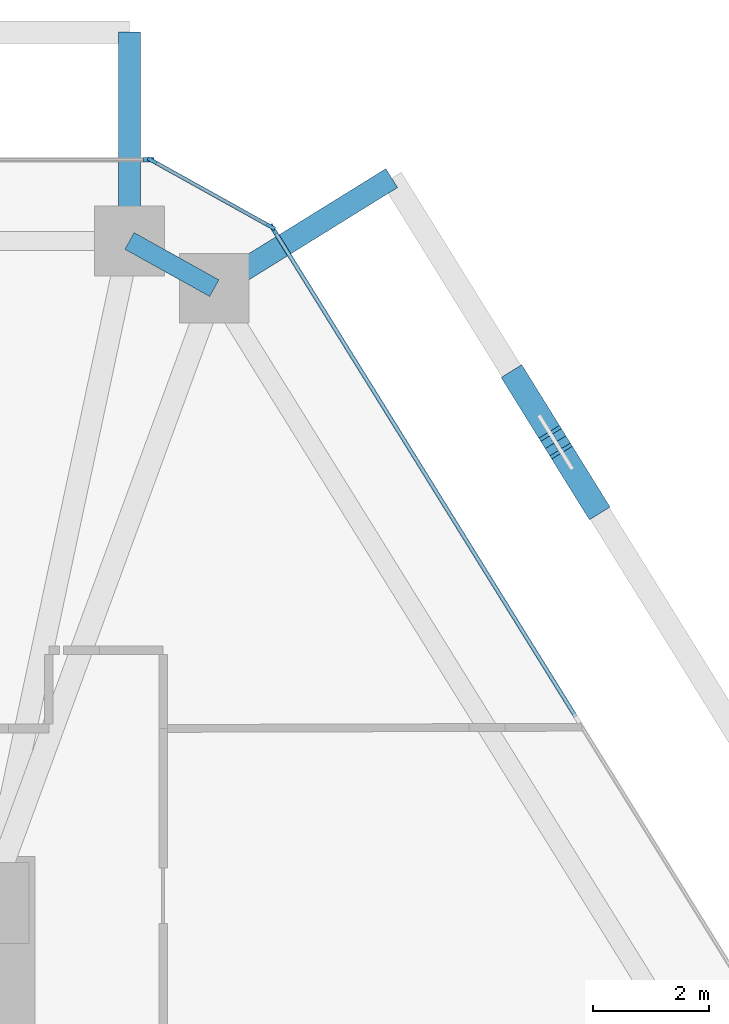
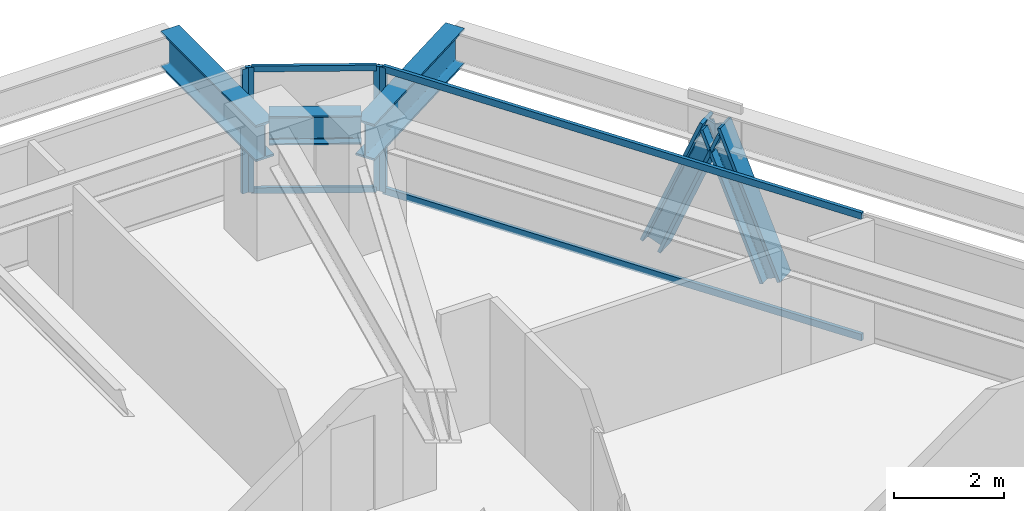
# One storey, part 8 of 17: 10 members, 3 beams, 3 elements without a shape of their own.
"""IFC4 building model written with IfcOpenShell, lengths in metres."""

from ifc_helpers import new_model, si_unit, direction, frame, origin, origin_2d, place, context, subcontext, project, spatial, rectangle, i_section, extrude, source, transform, mapped, material, layer, layer_set, material_profile, profile_set, type_object, type_shapes, element, aggregate, save


model = new_model("IFC4")

# Units and contexts
model_context = context("Model", 3, precision=1e-05, world=origin(), true_north=direction((0.0, 1.0)))
body_context = subcontext(model_context, "Body", "Model", "MODEL_VIEW")
ifc_project = project(units=[si_unit("LENGTHUNIT", "METRE"), si_unit("AREAUNIT", "SQUARE_METRE"), si_unit("VOLUMEUNIT", "CUBIC_METRE"), si_unit("PLANEANGLEUNIT", "RADIAN"), si_unit("MASSUNIT", "GRAM", prefix="KILO")], contexts=[model_context])

# Site, building, storey
site_placement = place(None, origin())
site = spatial("IfcSite", under=ifc_project, at=site_placement, CompositionType="ELEMENT")
building_placement = place(site_placement, origin())
building = spatial("IfcBuilding", under=site, at=building_placement, Name="Durnholm Broadcast Tower", CompositionType="ELEMENT")
storey_placement = place(building_placement, frame((0.0, 0.0, 143.10009765625)))
storey = spatial("IfcBuildingStorey", under=building, at=storey_placement, Name="L39", CompositionType="ELEMENT", Elevation=143.10009765625)

# Beams
ifc_material_1 = material(Name="Steel ASTM A992 Grade 50", Category="steel")
ifc_material_profile_1 = material_profile(ifc_material_1, i_section(OverallWidth=0.385009765625, OverallDepth=0.802978515625, WebThickness=0.023681640625, FlangeThickness=0.0419921875, FilletRadius=0.032958984375, at=origin_2d()), Name="W30X261")
ifc_profile_set_1 = profile_set([ifc_material_profile_1], Name="Steel ASTM A992 Grade 50")
beam_type_1 = type_object("IfcBeamType", Name="BM-EXO-TIE", PredefinedType="USERDEFINED", material=ifc_profile_set_1)
shared_shape_1 = source(origin(), body_context, "Body", "SweptSolid", [
    extrude(i_section(OverallWidth=0.385009765625, OverallDepth=0.802978515625, WebThickness=0.023681640625, FlangeThickness=0.0419921875, FilletRadius=0.032958984375, at=origin_2d()), origin(), (0.0, 0.0, 1.0), 3.4560546875),
])
beam_1_placement = place(storey_placement, frame((12.22998046875, 19.35888671875, 2.008544921875), z_axis=(0.0, 1.0, 0.0), x_axis=(-1.0, 0.0, 0.0)))
element("IfcBeam", 1, at=beam_1_placement, inside=storey, type_object=beam_type_1, Name="L39 exoskeleton stand-off tie bracket F4.1", ObjectType="GIRDER", PredefinedType="USERDEFINED", context=body_context, shape_type="MappedRepresentation", body=[
    mapped(shared_shape_1, transform((0.0, 0.0, 0.0), x_axis=(1.0, 0.0, 0.0), y_axis=(0.0, 1.0, 0.0), z_axis=(0.0, 0.0, 1.0), scale=1.0)),
])
shared_shape_2 = source(origin(), body_context, "Body", "SweptSolid", [
    extrude(i_section(OverallWidth=0.385009765625, OverallDepth=0.802978515625, WebThickness=0.023681640625, FlangeThickness=0.0419921875, FilletRadius=0.032958984375, at=origin_2d()), origin(), (0.0, 0.0, 1.0), 3.455810546875),
])
type_shapes(beam_type_1, [shared_shape_1, shared_shape_2])
beam_2_placement = place(storey_placement, frame((13.814697265625, 18.477294921875, 2.008544921875), z_axis=(0.849807128357, 0.527093772107, 0.0), x_axis=(-0.527093772107, 0.849807128357, 0.0)))
element("IfcBeam", 2, at=beam_2_placement, inside=storey, type_object=beam_type_1, Name="L39 exoskeleton stand-off tie bracket F3.2", ObjectType="GIRDER", PredefinedType="USERDEFINED", context=body_context, shape_type="MappedRepresentation", body=[
    mapped(shared_shape_2, transform((0.0, 0.0, 0.0), x_axis=(1.0, 0.0, 0.0), y_axis=(0.0, 1.0, 0.0), z_axis=(0.0, 0.0, 1.0), scale=1.0)),
])
ifc_material_profile_2 = material_profile(ifc_material_1, i_section(OverallWidth=0.3291015625, OverallDepth=0.635009765625, WebThickness=0.017822265625, FlangeThickness=0.031005859375, FilletRadius=0.02783203125, at=origin_2d()), Name="W24X162")
ifc_profile_set_2 = profile_set([ifc_material_profile_2], Name="Steel ASTM A992 Grade 50")
beam_type_2 = type_object("IfcBeamType", Name="STL-SP-W24X162", PredefinedType="SPANDREL", material=ifc_profile_set_2)
shared_shape_3 = source(origin(), body_context, "Body", "SweptSolid", [
    extrude(i_section(OverallWidth=0.3291015625, OverallDepth=0.635009765625, WebThickness=0.017822265625, FlangeThickness=0.031005859375, FilletRadius=0.02783203125, at=origin_2d()), origin(), (0.0, 0.0, 1.0), 1.67333984375),
])
type_shapes(beam_type_2, [shared_shape_3])
beam_3_placement = place(storey_placement, frame((12.22998046875, 19.215087890625, 2.427490234375), z_axis=(0.873799169188, -0.486286964586, 0.0), x_axis=(0.486286964586, 0.873799169188, 0.0)))
element("IfcBeam", 3, at=beam_3_placement, inside=storey, type_object=beam_type_2, Name="L39 perimeter spandrel girder 06", PredefinedType="SPANDREL", context=body_context, shape_type="MappedRepresentation", body=[
    mapped(shared_shape_3, transform((0.0, 0.0, 0.0), x_axis=(1.0, 0.0, 0.0), y_axis=(0.0, 1.0, 0.0), z_axis=(0.0, 0.0, 1.0), scale=1.0)),
])

# Members
ifc_material_2 = material(Name="Steel ASTM A913 Grade 65", Category="steel")
ifc_material_profile_3 = material_profile(ifc_material_2, i_section(OverallWidth=0.41845703125, OverallDepth=0.455078125, WebThickness=0.0419921875, FlangeThickness=0.067626953125, FilletRadius=0.030517578125, at=origin_2d()), Name="W14X370")
ifc_profile_set_3 = profile_set([ifc_material_profile_3], Name="Steel ASTM A913 Grade 65")
member_type_1 = type_object("IfcMemberType", Name="STL-DG-W14X370", PredefinedType="BRACE", material=ifc_profile_set_3)
shared_shape_4 = source(origin(), body_context, "Body", "SweptSolid", [
    extrude(i_section(OverallWidth=0.41845703125, OverallDepth=0.455078125, WebThickness=0.0419921875, FlangeThickness=0.067626953125, FilletRadius=0.030517578125, at=origin_2d()), origin(), (0.0, 0.0, 1.0), 3.243896484375),
])
member_1_placement = place(storey_placement, frame((18.92578125, 16.793212890625, -0.991455078125), z_axis=(0.200572087066, -0.323248448011, 0.924814186066), x_axis=(0.849716575602, 0.52723973783, 0.0)))
element("IfcMember", 4, at=member_1_placement, inside=storey, type_object=member_type_1, Name="L39 stand-off diagrid brace F3.D2.2", PredefinedType="BRACE", context=body_context, shape_type="MappedRepresentation", body=[
    mapped(shared_shape_4, transform((0.0, 0.0, 0.0), x_axis=(1.0, 0.0, 0.0), y_axis=(0.0, 1.0, 0.0), z_axis=(0.0, 0.0, 1.0), scale=1.0)),
])
shared_shape_5 = source(origin(), body_context, "Body", "SweptSolid", [
    extrude(i_section(OverallWidth=0.41845703125, OverallDepth=0.455078125, WebThickness=0.0419921875, FlangeThickness=0.067626953125, FilletRadius=0.030517578125, at=origin_2d()), origin(), (0.0, 0.0, 1.0), 3.24365234375),
])
type_shapes(member_type_1, [shared_shape_4, shared_shape_5])
member_2_placement = place(storey_placement, frame((20.2265625, 14.6962890625, -0.991455078125), z_axis=(-0.200432488747, 0.323190802359, 0.924864596968), x_axis=(-0.849838868368, -0.527042595823, 0.0)))
element("IfcMember", 5, at=member_2_placement, inside=storey, type_object=member_type_1, Name="L39 stand-off diagrid brace F3.D2.1", PredefinedType="BRACE", context=body_context, shape_type="MappedRepresentation", body=[
    mapped(shared_shape_5, transform((0.0, 0.0, 0.0), x_axis=(1.0, 0.0, 0.0), y_axis=(0.0, 1.0, 0.0), z_axis=(0.0, 0.0, 1.0), scale=1.0)),
])

# Curtain wall, members
ifc_material_3 = material(Name="Aluminium and Solar Control IGU", Category="aluminium")
ifc_layer_1 = layer(ifc_material_3, 0.1650390625)
ifc_layer_set_1 = layer_set([ifc_layer_1], Name="Aluminium and Solar Control IGU")
curtain_wall_type_1 = type_object("IfcCurtainWallType", Name="CW-SYS-5", PredefinedType="NOTDEFINED", material=ifc_layer_set_1)
curtain_wall_1_placement = place(storey_placement, origin())
curtain_wall_1 = element("IfcCurtainWall", 6, at=curtain_wall_1_placement, inside=storey, type_object=curtain_wall_type_1, Name="L39 curtain wall CW-CORNER CW-L39-CRN-05", PredefinedType="NOTDEFINED")
ifc_material_4 = material(Name="Aluminium 6063-T6", Category="aluminium")
ifc_material_profile_4 = material_profile(ifc_material_4, rectangle(XDim=0.06494140625, YDim=0.1650390625, at=origin_2d()), Name="CWM65X165")
ifc_profile_set_4 = profile_set([ifc_material_profile_4], Name="Aluminium 6063-T6")
member_type_2 = type_object("IfcMemberType", Name="CW-SYS-5-MUL", PredefinedType="MULLION", material=ifc_profile_set_4)
shared_shape_6 = source(origin(), body_context, "Body", "SweptSolid", [
    extrude(rectangle(XDim=0.06494140625, YDim=0.1650390625, at=origin_2d()), origin(), (0.0, 0.0, 1.0), 2.760009765625),
])
type_shapes(member_type_2, [shared_shape_6])
member_3_placement = place(storey_placement, frame((12.62158203125, 20.59912109375, 0.0), z_axis=(0.0, 0.0, 1.0), x_axis=(0.486244224192, 0.873822953715, 0.0)))
member_3 = element("IfcMember", 7, at=member_3_placement, type_object=member_type_2, Name="CW-CORNER mullion 1", PredefinedType="MULLION", context=body_context, shape_type="MappedRepresentation", body=[
    mapped(shared_shape_6, transform((0.0, 0.0, 0.0), x_axis=(1.0, 0.0, 0.0), y_axis=(0.0, 1.0, 0.0), z_axis=(0.0, 0.0, 1.0), scale=1.0)),
])
member_4_placement = place(storey_placement, frame((14.662109375, 19.4638671875, 0.0), z_axis=(0.0, 0.0, 1.0), x_axis=(0.486244224192, 0.873822953715, 0.0)))
member_4 = element("IfcMember", 8, at=member_4_placement, type_object=member_type_2, Name="CW-CORNER mullion 2", PredefinedType="MULLION", context=body_context, shape_type="MappedRepresentation", body=[
    mapped(shared_shape_6, transform((0.0, 0.0, 0.0), x_axis=(1.0, 0.0, 0.0), y_axis=(0.0, 1.0, 0.0), z_axis=(0.0, 0.0, 1.0), scale=1.0)),
])

# Curtain wall, member
ifc_layer_2 = layer(ifc_material_3, 0.18994140625)
ifc_layer_set_2 = layer_set([ifc_layer_2], Name="Aluminium and Solar Control IGU")
curtain_wall_type_2 = type_object("IfcCurtainWallType", Name="CW-SYS-3", PredefinedType="NOTDEFINED", material=ifc_layer_set_2)
curtain_wall_2_placement = place(storey_placement, origin())
curtain_wall_2 = element("IfcCurtainWall", 9, at=curtain_wall_2_placement, inside=storey, type_object=curtain_wall_type_2, Name="L39 curtain wall CW-Z12-VIS CW-L39-F04", PredefinedType="NOTDEFINED")
ifc_material_profile_5 = material_profile(ifc_material_4, rectangle(XDim=0.070068359375, YDim=0.18994140625, at=origin_2d()), Name="CWM70X190")
ifc_profile_set_5 = profile_set([ifc_material_profile_5], Name="Aluminium 6063-T6")
member_type_3 = type_object("IfcMemberType", Name="CW-SYS-3-MUL", PredefinedType="MULLION", material=ifc_profile_set_5)
shared_shape_7 = source(origin(), body_context, "Body", "SweptSolid", [
    extrude(rectangle(XDim=0.070068359375, YDim=0.18994140625, at=origin_2d()), origin(), (0.0, 0.0, 1.0), 2.760009765625),
])
type_shapes(member_type_3, [shared_shape_7])
member_5_placement = place(storey_placement, frame((12.55810546875, 20.614990234375, 0.0), z_axis=(0.0, 0.0, 1.0), x_axis=(0.0, 1.0, 0.0)))
member_5 = element("IfcMember", 10, at=member_5_placement, type_object=member_type_3, Name="CW-Z12-VIS mullion 3", PredefinedType="MULLION", context=body_context, shape_type="MappedRepresentation", body=[
    mapped(shared_shape_7, transform((0.0, 0.0, 0.0), x_axis=(1.0, 0.0, 0.0), y_axis=(0.0, 1.0, 0.0), z_axis=(0.0, 0.0, 1.0), scale=1.0)),
])
aggregate(curtain_wall_2, [member_5])

curtain_wall_3_placement = place(storey_placement, origin())
curtain_wall_3 = element("IfcCurtainWall", 11, at=curtain_wall_3_placement, inside=storey, type_object=curtain_wall_type_2, Name="L39 curtain wall CW-Z12-VIS CW-L39-F06", PredefinedType="NOTDEFINED")
member_6_placement = place(storey_placement, frame((14.708740234375, 19.418212890625, 0.0), z_axis=(0.0, 0.0, 1.0), x_axis=(0.849799925229, 0.527105385176, 0.0)))
member_6 = element("IfcMember", 12, at=member_6_placement, type_object=member_type_3, Name="CW-Z12-VIS mullion 1", PredefinedType="MULLION", context=body_context, shape_type="MappedRepresentation", body=[
    mapped(shared_shape_7, transform((0.0, 0.0, 0.0), x_axis=(1.0, 0.0, 0.0), y_axis=(0.0, 1.0, 0.0), z_axis=(0.0, 0.0, 1.0), scale=1.0)),
])

# Member
ifc_material_profile_6 = material_profile(ifc_material_4, rectangle(XDim=0.06494140625, YDim=0.1298828125, at=origin_2d()), Name="CWT65X130")
ifc_profile_set_6 = profile_set([ifc_material_profile_6], Name="Aluminium 6063-T6")
member_type_4 = type_object("IfcMemberType", Name="CW-SYS-5-TRN", PredefinedType="USERDEFINED", material=ifc_profile_set_6)
shared_shape_8 = source(origin(), body_context, "Body", "SweptSolid", [
    extrude(rectangle(XDim=0.06494140625, YDim=0.1298828125, at=origin_2d()), origin(), (0.0, 0.0, 1.0), 2.270263671875),
])
type_shapes(member_type_4, [shared_shape_8])
member_7_placement = place(storey_placement, frame((12.64990234375, 20.58349609375, 0.032470703125), z_axis=(0.873786708897, -0.486309353555, 0.0), x_axis=(0.486309353555, 0.873786708897, 0.0)))
member_7 = element("IfcMember", 13, at=member_7_placement, type_object=member_type_4, Name="CW-CORNER transom 1.1", ObjectType="TRANSOM", PredefinedType="USERDEFINED", context=body_context, shape_type="MappedRepresentation", body=[
    mapped(shared_shape_8, transform((0.0, 0.0, 0.0), x_axis=(1.0, 0.0, 0.0), y_axis=(0.0, 1.0, 0.0), z_axis=(0.0, 0.0, 1.0), scale=1.0)),
])

member_8_placement = place(storey_placement, frame((12.64990234375, 20.58349609375, 2.727294921875), z_axis=(0.873786708897, -0.486309353555, 0.0), x_axis=(0.486309353555, 0.873786708897, 0.0)))
member_8 = element("IfcMember", 14, at=member_8_placement, type_object=member_type_4, Name="CW-CORNER transom 1.2", ObjectType="TRANSOM", PredefinedType="USERDEFINED", context=body_context, shape_type="MappedRepresentation", body=[
    mapped(shared_shape_8, transform((0.0, 0.0, 0.0), x_axis=(1.0, 0.0, 0.0), y_axis=(0.0, 1.0, 0.0), z_axis=(0.0, 0.0, 1.0), scale=1.0)),
])

aggregate(curtain_wall_1, [member_3, member_4, member_7, member_8])

ifc_material_profile_7 = material_profile(ifc_material_4, rectangle(XDim=0.070068359375, YDim=0.14990234375, at=origin_2d()), Name="CWT70X150")
ifc_profile_set_7 = profile_set([ifc_material_profile_7], Name="Aluminium 6063-T6")
member_type_5 = type_object("IfcMemberType", Name="CW-SYS-3-TRN", PredefinedType="USERDEFINED", material=ifc_profile_set_7)
shared_shape_9 = source(origin(), body_context, "Body", "SweptSolid", [
    extrude(rectangle(XDim=0.070068359375, YDim=0.14990234375, at=origin_2d()), origin(), (0.0, 0.0, 1.0), 9.858642578125),
])
type_shapes(member_type_5, [shared_shape_9])
member_9_placement = place(storey_placement, frame((14.727294921875, 19.388427734375, 0.034912109375), z_axis=(0.527102081419, -0.849801974441, 0.0), x_axis=(0.849801974441, 0.527102081419, 0.0)))
member_9 = element("IfcMember", 15, at=member_9_placement, type_object=member_type_5, Name="CW-Z12-VIS transom 1.1", ObjectType="TRANSOM", PredefinedType="USERDEFINED", context=body_context, shape_type="MappedRepresentation", body=[
    mapped(shared_shape_9, transform((0.0, 0.0, 0.0), x_axis=(1.0, 0.0, 0.0), y_axis=(0.0, 1.0, 0.0), z_axis=(0.0, 0.0, 1.0), scale=1.0)),
])

member_10_placement = place(storey_placement, frame((14.727294921875, 19.388427734375, 2.724853515625), z_axis=(0.527102081419, -0.849801974441, 0.0), x_axis=(0.849801974441, 0.527102081419, 0.0)))
member_10 = element("IfcMember", 16, at=member_10_placement, type_object=member_type_5, Name="CW-Z12-VIS transom 1.2", ObjectType="TRANSOM", PredefinedType="USERDEFINED", context=body_context, shape_type="MappedRepresentation", body=[
    mapped(shared_shape_9, transform((0.0, 0.0, 0.0), x_axis=(1.0, 0.0, 0.0), y_axis=(0.0, 1.0, 0.0), z_axis=(0.0, 0.0, 1.0), scale=1.0)),
])

aggregate(curtain_wall_3, [member_6, member_9, member_10])

save(model, "model.ifc")
